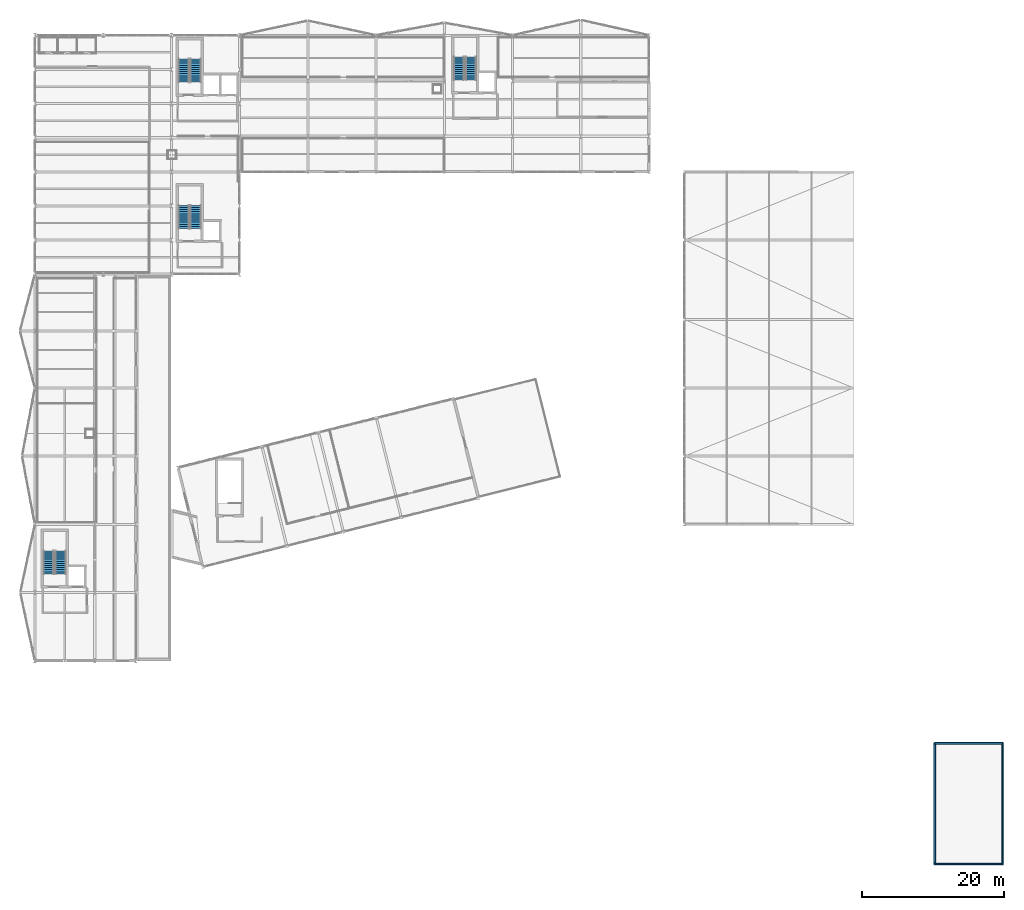
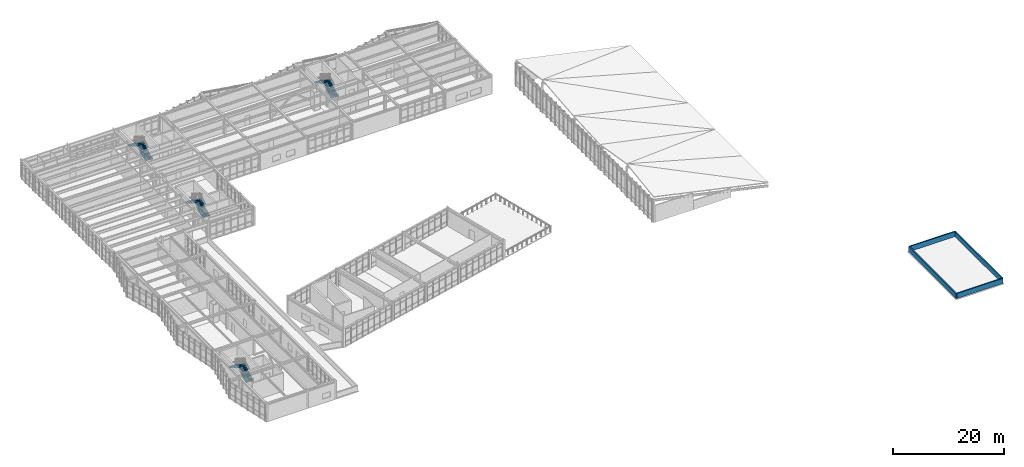
# One storey, part 59 of 64: 8 stair flights, 4 walls, 4 elements without a shape of their own.
"""IFC4 building model written with IfcOpenShell, lengths in metres."""

from ifc_helpers import new_model, si_unit, direction, frame, frame_2d, origin, place, context, subcontext, project, spatial, polyline, rectangle, outline, extrude, material, layer, layer_set, type_object, element, aggregate, save


model = new_model("IFC4")

# Units and contexts
model_context = context("Model", 3, precision=1e-05, world=origin(), true_north=direction((0.0, 1.0)))
body_context = subcontext(model_context, "Body", "Model", "MODEL_VIEW")
ifc_project = project(units=[si_unit("LENGTHUNIT", "METRE"), si_unit("AREAUNIT", "SQUARE_METRE"), si_unit("VOLUMEUNIT", "CUBIC_METRE"), si_unit("PLANEANGLEUNIT", "RADIAN"), si_unit("MASSUNIT", "GRAM", prefix="KILO")], contexts=[model_context])

# Site, building, storey
site_placement = place(None, origin())
site = spatial("IfcSite", under=ifc_project, at=site_placement, CompositionType="ELEMENT")
building_placement = place(site_placement, origin())
building = spatial("IfcBuilding", under=site, at=building_placement, Name="Nordkorset Police Headquarters", CompositionType="ELEMENT")
storey_placement = place(building_placement, frame((0.0, 0.0, 17.85009765625)))
storey = spatial("IfcBuildingStorey", under=building, at=storey_placement, Name="L04", CompositionType="ELEMENT", Elevation=17.85009765625)

# Walls
ifc_material_1 = material(Name="Precast concrete C40/50", Category="concrete")
ifc_layer = layer(ifc_material_1, 0.239990234375, Name="Precast concrete C40/50")
ifc_layer_set = layer_set([ifc_layer], Name="Precast concrete C40/50")
wall_type = type_object("IfcWallType", Name="Wall_Parapet_240", PredefinedType="PARAPET", material=ifc_layer_set)
wall_1_placement = place(storey_placement, frame((126.60009765625, 0.199951171875, 0.0), z_axis=(0.0, 0.0, 1.0), x_axis=(1.0, 0.0, 0.0)))
element("IfcWall", 1, at=wall_1_placement, inside=storey, type_object=wall_type, Name="Flat Roof Parapet Wall V6DAY-L04-1", PredefinedType="PARAPET", context=body_context, shape_type="SweptSolid", body=[
    extrude(rectangle(XDim=9.5498046875, YDim=0.239990234375, at=frame_2d((4.77490234375, 0.0))), origin(), (0.0, 0.0, 1.0), 1.099853515625),
])
wall_2_placement = place(storey_placement, frame((136.14990234375, 0.199951171875, 0.0), z_axis=(0.0, 0.0, 1.0), x_axis=(0.0, 1.0, 0.0)))
element("IfcWall", 2, at=wall_2_placement, inside=storey, type_object=wall_type, Name="Flat Roof Parapet Wall V6DAY-L04-2", PredefinedType="PARAPET", context=body_context, shape_type="SweptSolid", body=[
    extrude(rectangle(XDim=17.0, YDim=0.239990234375, at=frame_2d((8.5, 0.0))), origin(), (0.0, 0.0, 1.0), 1.099853515625),
])
wall_3_placement = place(storey_placement, frame((136.14990234375, 17.199951171875, 0.0), z_axis=(0.0, 0.0, 1.0), x_axis=(-1.0, 0.0, 0.0)))
element("IfcWall", 3, at=wall_3_placement, inside=storey, type_object=wall_type, Name="Flat Roof Parapet Wall V6DAY-L04-3", PredefinedType="PARAPET", context=body_context, shape_type="SweptSolid", body=[
    extrude(rectangle(XDim=9.5498046875, YDim=0.239990234375, at=frame_2d((4.77490234375, 0.0))), origin(), (0.0, 0.0, 1.0), 1.099853515625),
])
wall_4_placement = place(storey_placement, frame((126.60009765625, 17.199951171875, 0.0), z_axis=(0.0, 0.0, 1.0), x_axis=(0.0, -1.0, 0.0)))
element("IfcWall", 4, at=wall_4_placement, inside=storey, type_object=wall_type, Name="Flat Roof Parapet Wall V6DAY-L04-4", PredefinedType="PARAPET", context=body_context, shape_type="SweptSolid", body=[
    extrude(rectangle(XDim=17.0, YDim=0.239990234375, at=frame_2d((8.5, 0.0))), origin(), (0.0, 0.0, 1.0), 1.099853515625),
])

# Stair, stair flights
ifc_material_2 = material(Name="Concrete C35/45", Category="concrete")
stair_type = type_object("IfcStairType", Name="ST-42", PredefinedType="HALF_TURN_STAIR", material=ifc_material_2)
stair_1_placement = place(storey_placement, origin())
stair_1 = element("IfcStair", 5, at=stair_1_placement, inside=storey, type_object=stair_type, Name="L04 Protected Escape Stair ST-01", PredefinedType="HALF_TURN_STAIR")
ifc_material_3 = material(Name="Concrete C35/45", Category="concrete")
stair_flight_type = type_object("IfcStairFlightType", Name="SF-42", PredefinedType="STRAIGHT", material=ifc_material_3)
stair_flight_1_placement = place(storey_placement, frame((22.625, 110.22509765625, 0.0), z_axis=(0.0, 0.0, 1.0), x_axis=(0.0, 1.0, 0.0)))
stair_flight_1 = element("IfcStairFlight", 6, at=stair_flight_1_placement, type_object=stair_flight_type, Name="ST-01 flight 1", NumberOfRisers=12, NumberOfTreads=11, PredefinedType="STRAIGHT", RiserHeight=0.175, TreadLength=0.295, context=body_context, shape_type="SweptSolid", body=[
    extrude(outline(polyline([(0.0, 0.0), (0.0, 0.175048828125), (0.294921875, 0.175048828125), (0.294921875, 0.35009765625), (0.590087890625, 0.35009765625), (0.590087890625, 0.52490234375), (0.885009765625, 0.52490234375), (0.885009765625, 0.699951171875), (1.179931640625, 0.699951171875), (1.179931640625, 0.875), (1.47509765625, 0.875), (1.47509765625, 1.050048828125), (1.77001953125, 1.050048828125), (1.77001953125, 1.22509765625), (2.06494140625, 1.22509765625), (2.06494140625, 1.39990234375), (2.360107421875, 1.39990234375), (2.360107421875, 1.574951171875), (2.655029296875, 1.574951171875), (2.655029296875, 1.75), (2.949951171875, 1.75), (2.949951171875, 1.925048828125), (3.2451171875, 1.925048828125), (3.2451171875, 2.10009765625), (3.2451171875, 1.739013671875), (0.3134765625, 0.0), (0.0, 0.0)])), frame((0.0, 0.75, 0.0), z_axis=(0.0, -1.0, 0.0), x_axis=(1.0, 0.0, 0.0)), (0.0, 0.0, 1.0), 1.5),
])
stair_flight_2_placement = place(storey_placement, frame((20.925048828125, 113.469970703125, 2.099853515625), z_axis=(0.0, 0.0, 1.0), x_axis=(0.0, -1.0, 0.0)))
stair_flight_2 = element("IfcStairFlight", 7, at=stair_flight_2_placement, type_object=stair_flight_type, Name="ST-01 flight 2", NumberOfRisers=12, NumberOfTreads=11, PredefinedType="STRAIGHT", RiserHeight=0.175, TreadLength=0.295, context=body_context, shape_type="SweptSolid", body=[
    extrude(outline(polyline([(0.0, 0.0), (0.0, 0.175048828125), (0.294921875, 0.175048828125), (0.294921875, 0.35009765625), (0.590087890625, 0.35009765625), (0.590087890625, 0.52490234375), (0.885009765625, 0.52490234375), (0.885009765625, 0.699951171875), (1.179931640625, 0.699951171875), (1.179931640625, 0.875), (1.47509765625, 0.875), (1.47509765625, 1.050048828125), (1.77001953125, 1.050048828125), (1.77001953125, 1.22509765625), (2.06494140625, 1.22509765625), (2.06494140625, 1.39990234375), (2.360107421875, 1.39990234375), (2.360107421875, 1.574951171875), (2.655029296875, 1.574951171875), (2.655029296875, 1.75), (2.949951171875, 1.75), (2.949951171875, 1.925048828125), (3.2451171875, 1.925048828125), (3.2451171875, 2.10009765625), (3.2451171875, 1.739013671875), (0.3134765625, 0.0), (0.0, 0.0)])), frame((0.0, 0.75, 0.0), z_axis=(0.0, -1.0, 0.0), x_axis=(1.0, 0.0, 0.0)), (0.0, 0.0, 1.0), 1.5),
])
aggregate(stair_1, [stair_flight_1, stair_flight_2])

stair_2_placement = place(storey_placement, origin())
stair_2 = element("IfcStair", 8, at=stair_2_placement, inside=storey, type_object=stair_type, Name="L04 Protected Escape Stair ST-03", PredefinedType="HALF_TURN_STAIR")
stair_flight_3_placement = place(storey_placement, frame((22.625, 89.625, 0.0), z_axis=(0.0, 0.0, 1.0), x_axis=(0.0, 1.0, 0.0)))
stair_flight_3 = element("IfcStairFlight", 9, at=stair_flight_3_placement, type_object=stair_flight_type, Name="ST-03 flight 1", NumberOfRisers=12, NumberOfTreads=11, PredefinedType="STRAIGHT", RiserHeight=0.175, TreadLength=0.295, context=body_context, shape_type="SweptSolid", body=[
    extrude(outline(polyline([(0.0, 0.0), (0.0, 0.175048828125), (0.294921875, 0.175048828125), (0.294921875, 0.35009765625), (0.590087890625, 0.35009765625), (0.590087890625, 0.52490234375), (0.885009765625, 0.52490234375), (0.885009765625, 0.699951171875), (1.179931640625, 0.699951171875), (1.179931640625, 0.875), (1.47509765625, 0.875), (1.47509765625, 1.050048828125), (1.77001953125, 1.050048828125), (1.77001953125, 1.22509765625), (2.06494140625, 1.22509765625), (2.06494140625, 1.39990234375), (2.360107421875, 1.39990234375), (2.360107421875, 1.574951171875), (2.655029296875, 1.574951171875), (2.655029296875, 1.75), (2.949951171875, 1.75), (2.949951171875, 1.925048828125), (3.2451171875, 1.925048828125), (3.2451171875, 2.10009765625), (3.2451171875, 1.739013671875), (0.3134765625, 0.0), (0.0, 0.0)])), frame((0.0, 0.75, 0.0), z_axis=(0.0, -1.0, 0.0), x_axis=(1.0, 0.0, 0.0)), (0.0, 0.0, 1.0), 1.5),
])
stair_flight_4_placement = place(storey_placement, frame((20.925048828125, 92.8701171875, 2.099853515625), z_axis=(0.0, 0.0, 1.0), x_axis=(0.0, -1.0, 0.0)))
stair_flight_4 = element("IfcStairFlight", 10, at=stair_flight_4_placement, type_object=stair_flight_type, Name="ST-03 flight 2", NumberOfRisers=12, NumberOfTreads=11, PredefinedType="STRAIGHT", RiserHeight=0.175, TreadLength=0.295, context=body_context, shape_type="SweptSolid", body=[
    extrude(outline(polyline([(0.0, 0.0), (0.0, 0.175048828125), (0.294921875, 0.175048828125), (0.294921875, 0.35009765625), (0.590087890625, 0.35009765625), (0.590087890625, 0.52490234375), (0.885009765625, 0.52490234375), (0.885009765625, 0.699951171875), (1.179931640625, 0.699951171875), (1.179931640625, 0.875), (1.47509765625, 0.875), (1.47509765625, 1.050048828125), (1.77001953125, 1.050048828125), (1.77001953125, 1.22509765625), (2.06494140625, 1.22509765625), (2.06494140625, 1.39990234375), (2.360107421875, 1.39990234375), (2.360107421875, 1.574951171875), (2.655029296875, 1.574951171875), (2.655029296875, 1.75), (2.949951171875, 1.75), (2.949951171875, 1.925048828125), (3.2451171875, 1.925048828125), (3.2451171875, 2.10009765625), (3.2451171875, 1.739013671875), (0.3134765625, 0.0), (0.0, 0.0)])), frame((0.0, 0.75, 0.0), z_axis=(0.0, -1.0, 0.0), x_axis=(1.0, 0.0, 0.0)), (0.0, 0.0, 1.0), 1.5),
])
aggregate(stair_2, [stair_flight_3, stair_flight_4])

stair_3_placement = place(storey_placement, origin())
stair_3 = element("IfcStair", 11, at=stair_3_placement, inside=storey, type_object=stair_type, Name="L04 Protected Escape Stair ST-02", PredefinedType="HALF_TURN_STAIR")
stair_flight_5_placement = place(storey_placement, frame((61.375, 110.52490234375, 0.0), z_axis=(0.0, 0.0, 1.0), x_axis=(0.0, 1.0, 0.0)))
stair_flight_5 = element("IfcStairFlight", 12, at=stair_flight_5_placement, type_object=stair_flight_type, Name="ST-02 flight 1", NumberOfRisers=12, NumberOfTreads=11, PredefinedType="STRAIGHT", RiserHeight=0.175, TreadLength=0.295, context=body_context, shape_type="SweptSolid", body=[
    extrude(outline(polyline([(0.0, 0.0), (0.0, 0.175048828125), (0.294921875, 0.175048828125), (0.294921875, 0.35009765625), (0.590087890625, 0.35009765625), (0.590087890625, 0.52490234375), (0.885009765625, 0.52490234375), (0.885009765625, 0.699951171875), (1.179931640625, 0.699951171875), (1.179931640625, 0.875), (1.47509765625, 0.875), (1.47509765625, 1.050048828125), (1.77001953125, 1.050048828125), (1.77001953125, 1.22509765625), (2.06494140625, 1.22509765625), (2.06494140625, 1.39990234375), (2.360107421875, 1.39990234375), (2.360107421875, 1.574951171875), (2.655029296875, 1.574951171875), (2.655029296875, 1.75), (2.949951171875, 1.75), (2.949951171875, 1.925048828125), (3.2451171875, 1.925048828125), (3.2451171875, 2.10009765625), (3.2451171875, 1.739013671875), (0.3134765625, 0.0), (0.0, 0.0)])), frame((0.0, 0.75, 0.0), z_axis=(0.0, -1.0, 0.0), x_axis=(1.0, 0.0, 0.0)), (0.0, 0.0, 1.0), 1.5),
])
stair_flight_6_placement = place(storey_placement, frame((59.675048828125, 113.77001953125, 2.099853515625), z_axis=(0.0, 0.0, 1.0), x_axis=(0.0, -1.0, 0.0)))
stair_flight_6 = element("IfcStairFlight", 13, at=stair_flight_6_placement, type_object=stair_flight_type, Name="ST-02 flight 2", NumberOfRisers=12, NumberOfTreads=11, PredefinedType="STRAIGHT", RiserHeight=0.175, TreadLength=0.295, context=body_context, shape_type="SweptSolid", body=[
    extrude(outline(polyline([(0.0, 0.0), (0.0, 0.175048828125), (0.294921875, 0.175048828125), (0.294921875, 0.35009765625), (0.590087890625, 0.35009765625), (0.590087890625, 0.52490234375), (0.885009765625, 0.52490234375), (0.885009765625, 0.699951171875), (1.179931640625, 0.699951171875), (1.179931640625, 0.875), (1.47509765625, 0.875), (1.47509765625, 1.050048828125), (1.77001953125, 1.050048828125), (1.77001953125, 1.22509765625), (2.06494140625, 1.22509765625), (2.06494140625, 1.39990234375), (2.360107421875, 1.39990234375), (2.360107421875, 1.574951171875), (2.655029296875, 1.574951171875), (2.655029296875, 1.75), (2.949951171875, 1.75), (2.949951171875, 1.925048828125), (3.2451171875, 1.925048828125), (3.2451171875, 2.10009765625), (3.2451171875, 1.739013671875), (0.3134765625, 0.0), (0.0, 0.0)])), frame((0.0, 0.75, 0.0), z_axis=(0.0, -1.0, 0.0), x_axis=(1.0, 0.0, 0.0)), (0.0, 0.0, 1.0), 1.5),
])
aggregate(stair_3, [stair_flight_5, stair_flight_6])

stair_4_placement = place(storey_placement, origin())
stair_4 = element("IfcStair", 14, at=stair_4_placement, inside=storey, type_object=stair_type, Name="L04 Protected Escape Stair ST-04", PredefinedType="HALF_TURN_STAIR")
stair_flight_7_placement = place(storey_placement, frame((3.625, 41.02490234375, 0.0), z_axis=(0.0, 0.0, 1.0), x_axis=(0.0, 1.0, 0.0)))
stair_flight_7 = element("IfcStairFlight", 15, at=stair_flight_7_placement, type_object=stair_flight_type, Name="ST-04 flight 1", NumberOfRisers=12, NumberOfTreads=11, PredefinedType="STRAIGHT", RiserHeight=0.175, TreadLength=0.295, context=body_context, shape_type="SweptSolid", body=[
    extrude(outline(polyline([(0.0, 0.0), (0.0, 0.175048828125), (0.294921875, 0.175048828125), (0.294921875, 0.35009765625), (0.590087890625, 0.35009765625), (0.590087890625, 0.52490234375), (0.885009765625, 0.52490234375), (0.885009765625, 0.699951171875), (1.179931640625, 0.699951171875), (1.179931640625, 0.875), (1.47509765625, 0.875), (1.47509765625, 1.050048828125), (1.77001953125, 1.050048828125), (1.77001953125, 1.22509765625), (2.06494140625, 1.22509765625), (2.06494140625, 1.39990234375), (2.360107421875, 1.39990234375), (2.360107421875, 1.574951171875), (2.655029296875, 1.574951171875), (2.655029296875, 1.75), (2.949951171875, 1.75), (2.949951171875, 1.925048828125), (3.2451171875, 1.925048828125), (3.2451171875, 2.10009765625), (3.2451171875, 1.739013671875), (0.3134765625, 0.0), (0.0, 0.0)])), frame((0.0, 0.75, 0.0), z_axis=(0.0, -1.0, 0.0), x_axis=(1.0, 0.0, 0.0)), (0.0, 0.0, 1.0), 1.5),
])
stair_flight_8_placement = place(storey_placement, frame((1.925048828125, 44.27001953125, 2.099853515625), z_axis=(0.0, 0.0, 1.0), x_axis=(0.0, -1.0, 0.0)))
stair_flight_8 = element("IfcStairFlight", 16, at=stair_flight_8_placement, type_object=stair_flight_type, Name="ST-04 flight 2", NumberOfRisers=12, NumberOfTreads=11, PredefinedType="STRAIGHT", RiserHeight=0.175, TreadLength=0.295, context=body_context, shape_type="SweptSolid", body=[
    extrude(outline(polyline([(0.0, 0.0), (0.0, 0.175048828125), (0.294921875, 0.175048828125), (0.294921875, 0.35009765625), (0.590087890625, 0.35009765625), (0.590087890625, 0.52490234375), (0.885009765625, 0.52490234375), (0.885009765625, 0.699951171875), (1.179931640625, 0.699951171875), (1.179931640625, 0.875), (1.47509765625, 0.875), (1.47509765625, 1.050048828125), (1.77001953125, 1.050048828125), (1.77001953125, 1.22509765625), (2.06494140625, 1.22509765625), (2.06494140625, 1.39990234375), (2.360107421875, 1.39990234375), (2.360107421875, 1.574951171875), (2.655029296875, 1.574951171875), (2.655029296875, 1.75), (2.949951171875, 1.75), (2.949951171875, 1.925048828125), (3.2451171875, 1.925048828125), (3.2451171875, 2.10009765625), (3.2451171875, 1.739013671875), (0.3134765625, 0.0), (0.0, 0.0)])), frame((0.0, 0.75, 0.0), z_axis=(0.0, -1.0, 0.0), x_axis=(1.0, 0.0, 0.0)), (0.0, 0.0, 1.0), 1.5),
])
aggregate(stair_4, [stair_flight_7, stair_flight_8])

save(model, "model.ifc")
